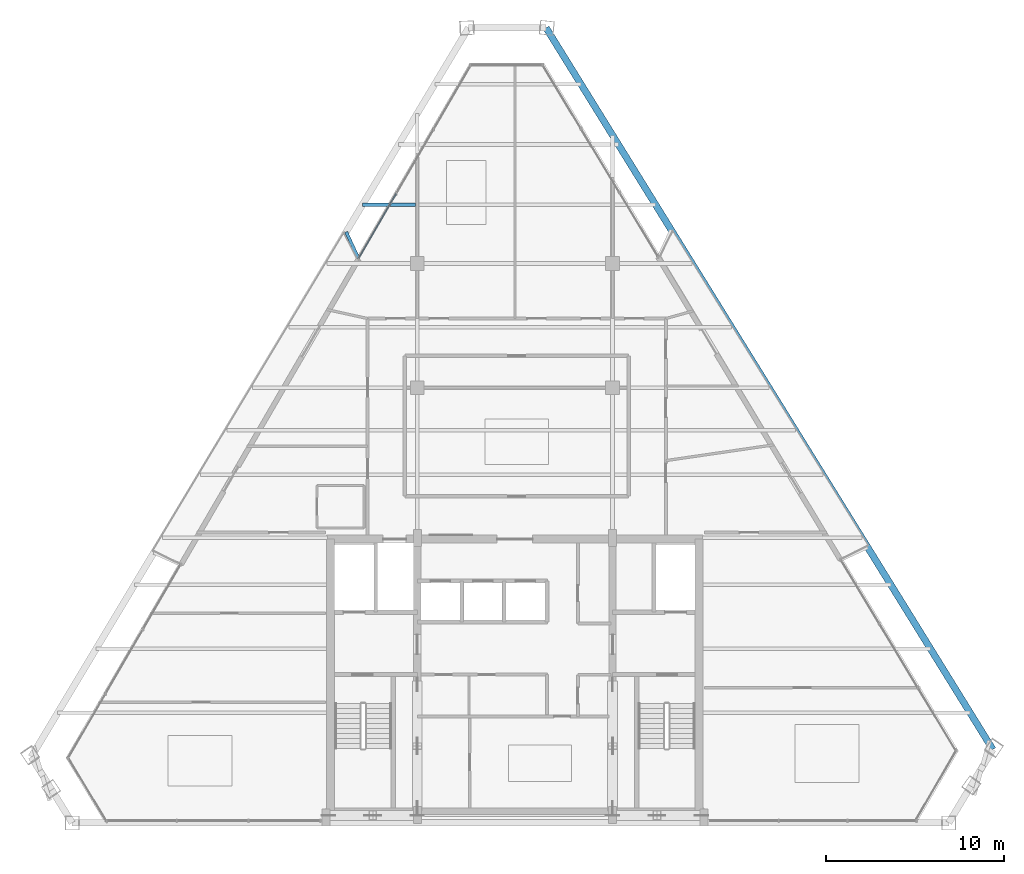
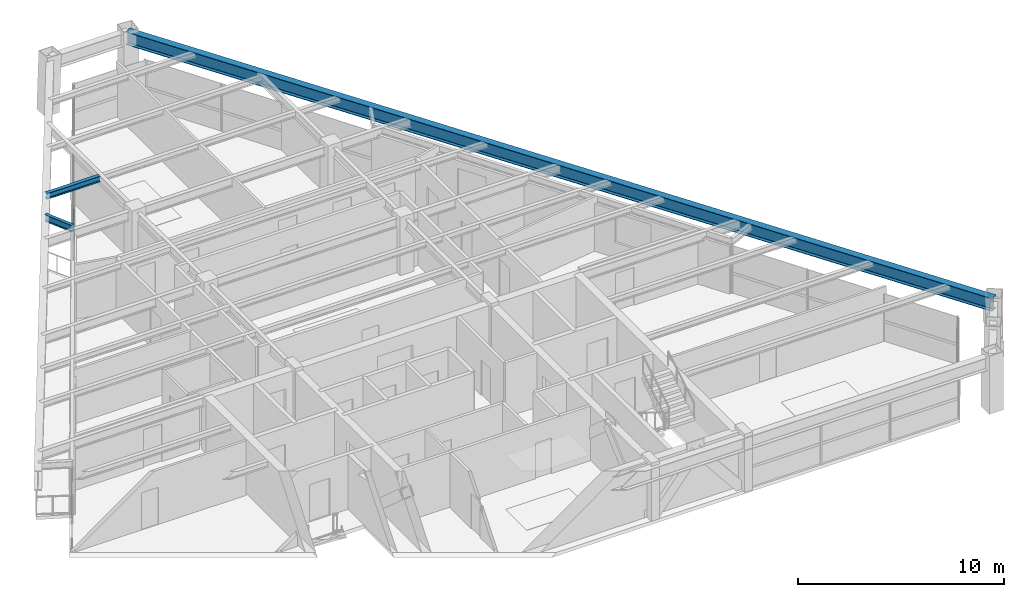
# One storey, part 6 of 13: 3 beams, 1 member, 1 element without a shape of its own.
"""IFC4 building model written with IfcOpenShell, lengths in metres."""

from ifc_helpers import new_model, si_unit, direction, frame, origin, origin_2d, place, context, subcontext, project, spatial, rectangle, i_section, extrude, source, transform, mapped, material, material_profile, profile_set, type_object, element, aggregate, save


model = new_model("IFC4")

# Units and contexts
model_context = context("Model", 3, precision=1e-05, world=origin(), true_north=direction((0.0, 1.0)))
body_context = subcontext(model_context, "Body", "Model", "MODEL_VIEW")
ifc_project = project(units=[si_unit("LENGTHUNIT", "METRE"), si_unit("AREAUNIT", "SQUARE_METRE"), si_unit("VOLUMEUNIT", "CUBIC_METRE"), si_unit("PLANEANGLEUNIT", "RADIAN"), si_unit("MASSUNIT", "GRAM", prefix="KILO")], contexts=[model_context])

# Site, building, storey
site_placement = place(None, origin())
site = spatial("IfcSite", under=ifc_project, at=site_placement, CompositionType="ELEMENT")
building_placement = place(site_placement, origin())
building = spatial("IfcBuilding", under=site, at=building_placement, Name="Varnakhor Terracotta Tower", CompositionType="ELEMENT")
storey_placement = place(building_placement, frame((0.0, 0.0, 262.64990234375)))
storey = spatial("IfcBuildingStorey", under=building, at=storey_placement, Name="L68", CompositionType="ELEMENT", Elevation=262.64990234375)

# Beams
ifc_material_1 = material(Name="Steel S355", Category="steel")
ifc_material_profile_1 = material_profile(ifc_material_1, i_section(OverallWidth=0.381103515625, OverallDepth=0.77294921875, WebThickness=0.01708984375, FlangeThickness=0.027099609375, FilletRadius=0.01806640625, at=origin_2d()), Name="W30X173")
ifc_profile_set_1 = profile_set([ifc_material_profile_1], Name="Steel S355")
beam_type_1 = type_object("IfcBeamType", Name="BM-W30X173", PredefinedType="BEAM", material=ifc_profile_set_1)
shared_shape_1 = source(origin(), body_context, "Body", "SweptSolid", [
    extrude(i_section(OverallWidth=0.381103515625, OverallDepth=0.77294921875, WebThickness=0.01708984375, FlangeThickness=0.027099609375, FilletRadius=0.01806640625, at=origin_2d()), origin(), (0.0, 0.0, 1.0), 47.79638671875),
])
beam_1_placement = place(storey_placement, frame((26.909423828125, 4.132568359375, 2.853515625), z_axis=(-0.526355845541, 0.850264384686, 0.0), x_axis=(-0.850264384686, -0.526355845541, 0.0)))
element("IfcBeam", 1, at=beam_1_placement, inside=storey, type_object=beam_type_1, Name="L68 Perimeter Spandrel 4", PredefinedType="BEAM", context=body_context, shape_type="MappedRepresentation", body=[
    mapped(shared_shape_1, transform((0.0, 0.0, 0.0), scale=1.0)),
])
ifc_material_profile_2 = material_profile(ifc_material_1, i_section(OverallWidth=0.202880859375, OverallDepth=0.346923828125, WebThickness=0.0078125, FlangeThickness=0.013427734375, FilletRadius=0.01806640625, at=origin_2d()), Name="W14X43")
ifc_profile_set_2 = profile_set([ifc_material_profile_2], Name="Steel S355")
beam_type_2 = type_object("IfcBeamType", Name="JST-W14X43", PredefinedType="JOIST", material=ifc_profile_set_2)
shared_shape_2 = source(origin(), body_context, "Body", "SweptSolid", [
    extrude(i_section(OverallWidth=0.202880859375, OverallDepth=0.346923828125, WebThickness=0.0078125, FlangeThickness=0.013427734375, FilletRadius=0.01806640625, at=origin_2d()), origin(), (0.0, 0.0, 1.0), 2.98876953125),
])
beam_2_placement = place(storey_placement, frame((-8.591796875, 34.800048828125, 3.066650390625), z_axis=(1.0, 0.0, 0.0), x_axis=(0.0, 1.0, 0.0)))
element("IfcBeam", 2, at=beam_2_placement, inside=storey, type_object=beam_type_2, Name="L68 Composite Floor Joist 7-1", PredefinedType="JOIST", context=body_context, shape_type="MappedRepresentation", body=[
    mapped(shared_shape_2, transform((0.0, 0.0, 0.0), scale=1.0)),
])

# Curtain wall, member
ifc_material_2 = material(Name="Anodised Aluminium Curtain Wall System", Category="aluminium")
curtain_wall_type = type_object("IfcCurtainWallType", Name="CW-SYS-HOTEL-LOGGIA", PredefinedType="NOTDEFINED", material=ifc_material_2)
curtain_wall_placement = place(storey_placement, origin())
curtain_wall = element("IfcCurtainWall", 3, at=curtain_wall_placement, inside=storey, type_object=curtain_wall_type, Name="L68 W Facet Curtain Wall 2", PredefinedType="NOTDEFINED")
ifc_material_3 = material(Name="Anodised Aluminium 6063-T6", Category="aluminium")
ifc_material_profile_3 = material_profile(ifc_material_3, rectangle(XDim=0.06494140625, YDim=0.14501953125, at=origin_2d()), Name="ALU TRANSOM 65x145")
ifc_profile_set_3 = profile_set([ifc_material_profile_3], Name="Anodised Aluminium 6063-T6")
member_type = type_object("IfcMemberType", Name="CWT-04", PredefinedType="USERDEFINED", material=ifc_profile_set_3)
shared_shape_3 = source(origin(), body_context, "Body", "SweptSolid", [
    extrude(rectangle(XDim=0.06494140625, YDim=0.14501953125, at=origin_2d()), origin(), (0.0, 0.0, 1.0), 4.202880859375),
])
member_placement = place(storey_placement, frame((-8.80224609375, 31.793701171875, 1.1845703125), z_axis=(0.502512426272, 0.864569986434, 0.0), x_axis=(-0.864569986434, 0.502512426272, 0.0)))
member = element("IfcMember", 4, at=member_placement, type_object=member_type, Name="L68 W Facet Curtain Wall 2 Transom 1", ObjectType="TRANSOM", PredefinedType="USERDEFINED", context=body_context, shape_type="MappedRepresentation", body=[
    mapped(shared_shape_3, transform((0.0, 0.0, 0.0), scale=1.0)),
])
aggregate(curtain_wall, [member])

# Beam
ifc_material_profile_4 = material_profile(ifc_material_1, i_section(OverallWidth=0.179931640625, OverallDepth=0.39990234375, WebThickness=0.008544921875, FlangeThickness=0.013427734375, FilletRadius=0.01806640625, at=origin_2d()), Name="IPE400")
ifc_profile_set_4 = profile_set([ifc_material_profile_4], Name="Steel S355")
beam_type_3 = type_object("IfcBeamType", Name="JST-IPE400", PredefinedType="JOIST", material=ifc_profile_set_4)
shared_shape_4 = source(origin(), body_context, "Body", "SweptSolid", [
    extrude(i_section(OverallWidth=0.179931640625, OverallDepth=0.39990234375, WebThickness=0.008544921875, FlangeThickness=0.013427734375, FilletRadius=0.01806640625, at=origin_2d()), origin(), (0.0, 0.0, 1.0), 1.630859375),
])
beam_3_placement = place(storey_placement, frame((-8.81982421875, 31.797119140625, 3.0400390625), z_axis=(-0.42049106869, 0.907296677582, 0.0), x_axis=(-0.907296677582, -0.42049106869, 0.0)))
element("IfcBeam", 5, at=beam_3_placement, inside=storey, type_object=beam_type_3, Name="L69 W Loggia Tie Beam 2", PredefinedType="JOIST", context=body_context, shape_type="MappedRepresentation", body=[
    mapped(shared_shape_4, transform((0.0, 0.0, 0.0), scale=1.0)),
])

save(model, "model.ifc")
